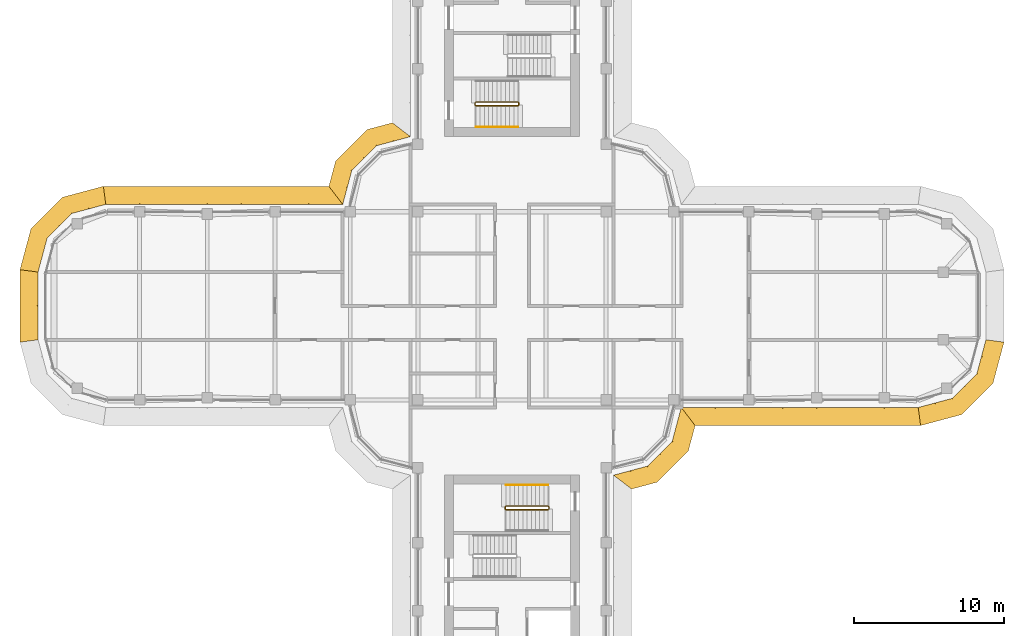
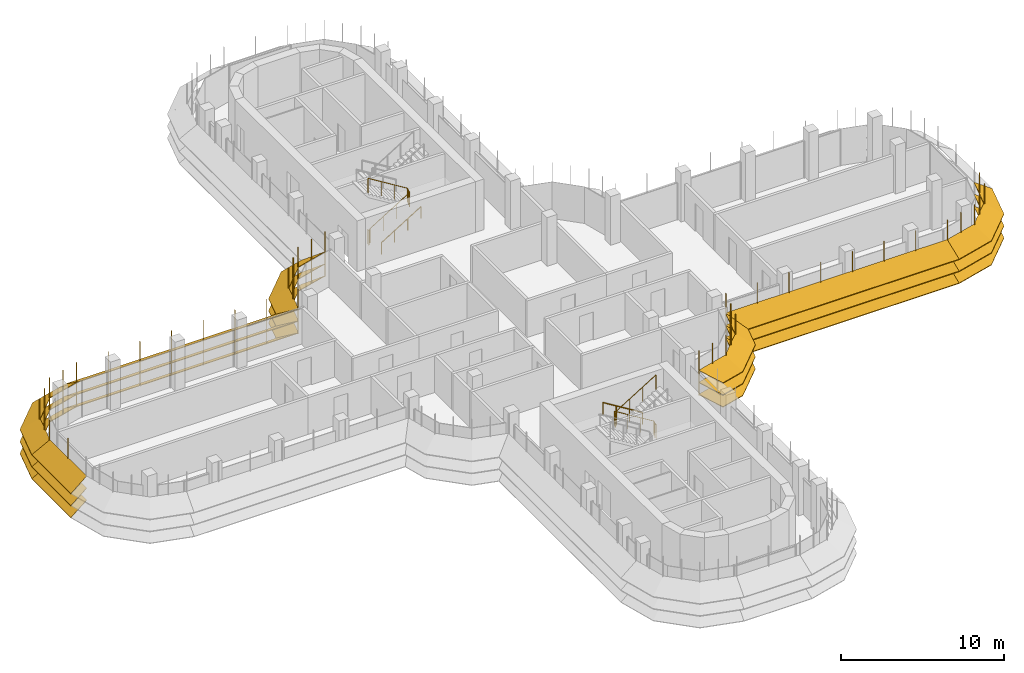
# One storey, part 18 of 19: 7 shading devices, 4 railings.
"""IFC4 building model written with IfcOpenShell, lengths in metres."""

from ifc_helpers import new_model, si_unit, direction, frame, origin, origin_2d, place, context, subcontext, project, spatial, polyline, circle, outline, extrude, faceted_brep, source, transform, mapped, material, type_object, element, save


model = new_model("IFC4")

# Units and contexts
model_context = context("Model", 3, precision=1e-05, world=origin(), true_north=direction((0.0, 1.0)))
body_context = subcontext(model_context, "Body", "Model", "MODEL_VIEW")
ifc_project = project(units=[si_unit("LENGTHUNIT", "METRE"), si_unit("AREAUNIT", "SQUARE_METRE"), si_unit("VOLUMEUNIT", "CUBIC_METRE"), si_unit("PLANEANGLEUNIT", "RADIAN"), si_unit("MASSUNIT", "GRAM", prefix="KILO")], contexts=[model_context])

# Site, building, storey
site_placement = place(None, origin())
site = spatial("IfcSite", under=ifc_project, at=site_placement, CompositionType="ELEMENT")
building_placement = place(site_placement, origin())
building = spatial("IfcBuilding", under=site, at=building_placement, Name="Zarbagh Exchange Tower", CompositionType="ELEMENT")
storey_placement = place(building_placement, frame((0.0, 0.0, 195.39990234375)))
storey = spatial("IfcBuildingStorey", under=building, at=storey_placement, Name="L47", CompositionType="ELEMENT", Elevation=195.39990234375)

# Railings
ifc_material_1 = material(Name="Stainless steel", Category="steel")
railing_type_1 = type_object("IfcRailingType", Name="Stair guard 1100 mm", PredefinedType="GUARDRAIL", material=ifc_material_1)
railing_1_placement = place(storey_placement, frame((-2.449951171875, 13.5, 0.0)))
element("IfcRailing", 1, at=railing_1_placement, inside=storey, type_object=railing_type_1, Name="ST2 stair guard 1", PredefinedType="GUARDRAIL", context=body_context, shape_type="SweptSolid", body=[
    extrude(circle(Radius=0.02392578125, at=origin_2d()), frame((0.0, 0.0, 1.076171875), z_axis=(0.0, -1.0, 0.0), x_axis=(1.0, 0.0, 0.0)), (0.0, 0.0, 1.0), 0.14990234375),
    extrude(circle(Radius=0.02392578125, at=origin_2d()), frame((0.0, -0.14990234375, 1.076171875), z_axis=(0.267953482034, -0.267953482034, 0.925419830635), x_axis=(0.707106781187, 0.707106781187, 0.0)), (0.0, 0.0, 1.0), 0.186767578125),
    extrude(circle(Radius=0.02392578125, at=origin_2d()), frame((0.050048828125, -0.199951171875, 1.2490234375), z_axis=(0.851069175582, 0.0, 0.525053576669), x_axis=(0.0, 1.0, 0.0)), (0.0, 0.0, 1.0), 3.289794921875),
    extrude(circle(Radius=0.02392578125, at=origin_2d()), frame((2.849853515625, -0.199951171875, 2.97607421875), z_axis=(0.707106781187, 0.707106781187, 0.0), x_axis=(-0.707106781187, 0.707106781187, 0.0)), (0.0, 0.0, 1.0), 0.07080078125),
    extrude(circle(Radius=0.02392578125, at=origin_2d()), frame((2.89990234375, -0.14990234375, 2.97607421875), z_axis=(0.0, 1.0, 0.0), x_axis=(-1.0, 0.0, 0.0)), (0.0, 0.0, 1.0), 0.14990234375),
    extrude(circle(Radius=0.02392578125, at=origin_2d()), frame((2.89990234375, 0.0, 2.97607421875), z_axis=(-0.268277960024, 0.268277960024, 0.925231793839), x_axis=(-0.707106781187, -0.707106781187, 0.0)), (0.0, 0.0, 1.0), 0.1865234375),
    extrude(circle(Radius=0.02392578125, at=origin_2d()), frame((2.849853515625, 0.050048828125, 3.14892578125), z_axis=(-0.851069175582, 0.0, 0.525053576669), x_axis=(0.0, -1.0, 0.0)), (0.0, 0.0, 1.0), 3.289794921875),
    extrude(circle(Radius=0.02099609375, at=origin_2d()), origin(), (0.0, 0.0, 1.0), 1.052001953125),
    extrude(circle(Radius=0.02099609375, at=origin_2d()), frame((0.0, -0.14990234375, 0.0)), (0.0, 0.0, 1.0), 1.052001953125),
    extrude(circle(Radius=0.02099609375, at=origin_2d()), frame((0.050048828125, -0.199951171875, 0.1728515625)), (0.0, 0.0, 1.0), 1.052001953125),
    extrude(circle(Radius=0.02099609375, at=origin_2d()), frame((0.9833984375, -0.199951171875, 0.74853515625)), (0.0, 0.0, 1.0), 1.052001953125),
    extrude(circle(Radius=0.02099609375, at=origin_2d()), frame((1.91650390625, -0.199951171875, 1.324462890625)), (0.0, 0.0, 1.0), 1.052001953125),
    extrude(circle(Radius=0.02099609375, at=origin_2d()), frame((2.849853515625, -0.199951171875, 1.900146484375)), (0.0, 0.0, 1.0), 1.052001953125),
    extrude(circle(Radius=0.02099609375, at=origin_2d()), frame((2.89990234375, -0.14990234375, 1.900146484375)), (0.0, 0.0, 1.0), 1.052001953125),
    extrude(circle(Radius=0.02099609375, at=origin_2d()), frame((2.89990234375, 0.0, 1.900146484375)), (0.0, 0.0, 1.0), 1.052001953125),
    extrude(circle(Radius=0.02099609375, at=origin_2d()), frame((2.849853515625, 0.050048828125, 2.07275390625)), (0.0, 0.0, 1.0), 1.052001953125),
    extrude(circle(Radius=0.02099609375, at=origin_2d()), frame((1.91650390625, 0.050048828125, 2.6484375)), (0.0, 0.0, 1.0), 1.052001953125),
    extrude(circle(Radius=0.02099609375, at=origin_2d()), frame((0.9833984375, 0.050048828125, 3.224365234375)), (0.0, 0.0, 1.0), 1.052001953125),
    extrude(circle(Radius=0.02099609375, at=origin_2d()), frame((0.050048828125, 0.050048828125, 3.800048828125)), (0.0, 0.0, 1.0), 1.052001953125),
])
railing_2_placement = place(storey_placement, frame((2.449951171875, -13.5, 0.0)))
element("IfcRailing", 2, at=railing_2_placement, inside=storey, type_object=railing_type_1, Name="ST4 stair guard 1", PredefinedType="GUARDRAIL", context=body_context, shape_type="SweptSolid", body=[
    extrude(circle(Radius=0.02392578125, at=origin_2d()), frame((0.0, 0.0, 1.076171875), z_axis=(0.0, 1.0, 0.0), x_axis=(-1.0, 0.0, 0.0)), (0.0, 0.0, 1.0), 0.14990234375),
    extrude(circle(Radius=0.02392578125, at=origin_2d()), frame((0.0, 0.14990234375, 1.076171875), z_axis=(-0.267953482034, 0.267953482034, 0.925419830635), x_axis=(-0.707106781187, -0.707106781187, 0.0)), (0.0, 0.0, 1.0), 0.186767578125),
    extrude(circle(Radius=0.02392578125, at=origin_2d()), frame((-0.050048828125, 0.199951171875, 1.2490234375), z_axis=(-0.851069175582, 0.0, 0.525053576669), x_axis=(0.0, -1.0, 0.0)), (0.0, 0.0, 1.0), 3.289794921875),
    extrude(circle(Radius=0.02392578125, at=origin_2d()), frame((-2.849853515625, 0.199951171875, 2.97607421875), z_axis=(-0.707106781187, -0.707106781187, 0.0), x_axis=(0.707106781187, -0.707106781187, 0.0)), (0.0, 0.0, 1.0), 0.07080078125),
    extrude(circle(Radius=0.02392578125, at=origin_2d()), frame((-2.89990234375, 0.14990234375, 2.97607421875), z_axis=(0.0, -1.0, 0.0), x_axis=(1.0, 0.0, 0.0)), (0.0, 0.0, 1.0), 0.14990234375),
    extrude(circle(Radius=0.02392578125, at=origin_2d()), frame((-2.89990234375, 0.0, 2.97607421875), z_axis=(0.268277960024, -0.268277960024, 0.925231793839), x_axis=(0.707106781187, 0.707106781187, 0.0)), (0.0, 0.0, 1.0), 0.1865234375),
    extrude(circle(Radius=0.02392578125, at=origin_2d()), frame((-2.849853515625, -0.050048828125, 3.14892578125), z_axis=(0.851069175582, 0.0, 0.525053576669), x_axis=(0.0, 1.0, 0.0)), (0.0, 0.0, 1.0), 3.289794921875),
    extrude(circle(Radius=0.02099609375, at=origin_2d()), origin(), (0.0, 0.0, 1.0), 1.052001953125),
    extrude(circle(Radius=0.02099609375, at=origin_2d()), frame((0.0, 0.14990234375, 0.0)), (0.0, 0.0, 1.0), 1.052001953125),
    extrude(circle(Radius=0.02099609375, at=origin_2d()), frame((-0.050048828125, 0.199951171875, 0.1728515625)), (0.0, 0.0, 1.0), 1.052001953125),
    extrude(circle(Radius=0.02099609375, at=origin_2d()), frame((-0.9833984375, 0.199951171875, 0.74853515625)), (0.0, 0.0, 1.0), 1.052001953125),
    extrude(circle(Radius=0.02099609375, at=origin_2d()), frame((-1.91650390625, 0.199951171875, 1.324462890625)), (0.0, 0.0, 1.0), 1.052001953125),
    extrude(circle(Radius=0.02099609375, at=origin_2d()), frame((-2.849853515625, 0.199951171875, 1.900146484375)), (0.0, 0.0, 1.0), 1.052001953125),
    extrude(circle(Radius=0.02099609375, at=origin_2d()), frame((-2.89990234375, 0.14990234375, 1.900146484375)), (0.0, 0.0, 1.0), 1.052001953125),
    extrude(circle(Radius=0.02099609375, at=origin_2d()), frame((-2.89990234375, 0.0, 1.900146484375)), (0.0, 0.0, 1.0), 1.052001953125),
    extrude(circle(Radius=0.02099609375, at=origin_2d()), frame((-2.849853515625, -0.050048828125, 2.07275390625)), (0.0, 0.0, 1.0), 1.052001953125),
    extrude(circle(Radius=0.02099609375, at=origin_2d()), frame((-1.91650390625, -0.050048828125, 2.6484375)), (0.0, 0.0, 1.0), 1.052001953125),
    extrude(circle(Radius=0.02099609375, at=origin_2d()), frame((-0.9833984375, -0.050048828125, 3.224365234375)), (0.0, 0.0, 1.0), 1.052001953125),
    extrude(circle(Radius=0.02099609375, at=origin_2d()), frame((-0.050048828125, -0.050048828125, 3.800048828125)), (0.0, 0.0, 1.0), 1.052001953125),
])
railing_type_2 = type_object("IfcRailingType", Name="Stair handrail 900 mm", PredefinedType="HANDRAIL", material=ifc_material_1)
railing_3_placement = place(storey_placement, frame((-2.39990234375, 11.89990234375, 0.1728515625)))
element("IfcRailing", 3, at=railing_3_placement, inside=storey, type_object=railing_type_2, Name="ST2 stair handrail 1", PredefinedType="HANDRAIL", context=body_context, shape_type="SweptSolid", body=[
    extrude(circle(Radius=0.02392578125, at=origin_2d()), frame((0.0, 0.0, 0.8759765625), z_axis=(0.851069175582, 0.0, 0.525053576669), x_axis=(0.0, 1.0, 0.0)), (0.0, 0.0, 1.0), 3.289794921875),
    extrude(circle(Radius=0.02099609375, at=origin_2d()), origin(), (0.0, 0.0, 1.0), 0.851806640625),
    extrude(circle(Radius=0.02099609375, at=origin_2d()), frame((0.933349609375, 0.0, 0.57568359375)), (0.0, 0.0, 1.0), 0.851806640625),
    extrude(circle(Radius=0.02099609375, at=origin_2d()), frame((1.866455078125, 0.0, 1.151611328125)), (0.0, 0.0, 1.0), 0.851806640625),
    extrude(circle(Radius=0.02099609375, at=origin_2d()), frame((2.7998046875, 0.0, 1.727294921875)), (0.0, 0.0, 1.0), 0.851806640625),
])
railing_4_placement = place(storey_placement, frame((2.39990234375, -11.89990234375, 0.1728515625)))
element("IfcRailing", 4, at=railing_4_placement, inside=storey, type_object=railing_type_2, Name="ST4 stair handrail 1", PredefinedType="HANDRAIL", context=body_context, shape_type="SweptSolid", body=[
    extrude(circle(Radius=0.02392578125, at=origin_2d()), frame((0.0, 0.0, 0.8759765625), z_axis=(-0.851069175582, 0.0, 0.525053576669), x_axis=(0.0, -1.0, 0.0)), (0.0, 0.0, 1.0), 3.289794921875),
    extrude(circle(Radius=0.02099609375, at=origin_2d()), origin(), (0.0, 0.0, 1.0), 0.851806640625),
    extrude(circle(Radius=0.02099609375, at=origin_2d()), frame((-0.933349609375, 0.0, 0.57568359375)), (0.0, 0.0, 1.0), 0.851806640625),
    extrude(circle(Radius=0.02099609375, at=origin_2d()), frame((-1.866455078125, 0.0, 1.151611328125)), (0.0, 0.0, 1.0), 0.851806640625),
    extrude(circle(Radius=0.02099609375, at=origin_2d()), frame((-2.7998046875, 0.0, 1.727294921875)), (0.0, 0.0, 1.0), 0.851806640625),
])

# Shading devices
ifc_material_2 = material(Name="Anodised aluminium blades and brackets", Category="aluminium")
shading_device_type = type_object("IfcShadingDeviceType", Name="SUNSHADE louvre band, 33.75 degree blades", PredefinedType="JALOUSIE", material=ifc_material_2)
shared_shape_1 = source(origin(), body_context, "Body", "Brep", [
    faceted_brep([(0.0, 0.0, 0.0), (0.0, 0.0, -0.048095703125), (-0.157958984375, -1.199951171875, -0.849853515625), (-0.157958984375, -1.199951171875, -0.8017578125), (2.65087890625, -1.199951171875, -0.8017578125), (2.65087890625, -1.199951171875, -0.849853515625), (2.329345703125, 0.0, -0.048095703125), (2.329345703125, 0.0, 0.0)], [[[0, 1, 2, 3]], [[4, 5, 6, 7]], [[0, 7, 6, 1]], [[1, 6, 5, 2]], [[2, 5, 4, 3]], [[3, 4, 7, 0]]]),
])
shared_shape_2 = source(origin(), body_context, "Body", "Brep", [
    faceted_brep([(0.0, 0.0, 0.0), (0.0, 0.0, -0.048095703125), (-0.321533203125, -1.199951171875, -0.849853515625), (-0.321533203125, -1.199951171875, -0.8017578125), (2.65087890625, -1.199951171875, -0.8017578125), (2.65087890625, -1.199951171875, -0.849853515625), (2.329345703125, 0.0, -0.048095703125), (2.329345703125, 0.0, 0.0)], [[[0, 1, 2, 3]], [[4, 5, 6, 7]], [[0, 7, 6, 1]], [[1, 6, 5, 2]], [[2, 5, 4, 3]], [[3, 4, 7, 0]]]),
])
shared_shape_3 = source(origin(), body_context, "Body", "Brep", [
    faceted_brep([(0.0, 0.0, 0.0), (0.0, 0.0, -0.048095703125), (-0.321533203125, -1.199951171875, -0.849853515625), (-0.321533203125, -1.199951171875, -0.8017578125), (2.4873046875, -1.199951171875, -0.8017578125), (2.4873046875, -1.199951171875, -0.849853515625), (2.329345703125, 0.0, -0.048095703125), (2.329345703125, 0.0, 0.0)], [[[0, 1, 2, 3]], [[4, 5, 6, 7]], [[0, 7, 6, 1]], [[1, 6, 5, 2]], [[2, 5, 4, 3]], [[3, 4, 7, 0]]]),
])
shared_shape_4 = source(origin(), body_context, "Body", "SweptSolid", [
    extrude(outline(polyline([(0.0, -0.012451171875), (0.06005859375, -0.012451171875), (0.06005859375, 0.012451171875), (0.0, 0.012451171875), (0.0, -0.012451171875)])), origin(), (0.0, 0.0, 1.0), 3.358154296875),
])
placement = place(storey_placement, origin())
element("IfcShadingDevice", 5, at=placement, inside=storey, type_object=shading_device_type, Name="SS31 sunshade band", PredefinedType="JALOUSIE", context=body_context, shape_type="MappedRepresentation", body=[
    mapped(shared_shape_1, transform((27.0, -6.75, 2.300048828125), x_axis=(0.965924289636, 0.258824779902, 0.0), y_axis=(-0.258824779902, 0.965924289636, 0.0), z_axis=(0.0, 0.0, 1.0))),
    mapped(shared_shape_1, transform((27.0, -6.75, 1.400146484375), x_axis=(0.965924289636, 0.258824779902, 0.0), y_axis=(-0.258824779902, 0.965924289636, 0.0), z_axis=(0.0, 0.0, 1.0))),
    mapped(shared_shape_1, transform((27.0, -6.75, 0.5), x_axis=(0.965924289636, 0.258824779902, 0.0), y_axis=(-0.258824779902, 0.965924289636, 0.0), z_axis=(0.0, 0.0, 1.0))),
    mapped(shared_shape_2, transform((29.25, -6.147216796875, 2.300048828125), x_axis=(0.707106781187, 0.707106781187, 0.0), y_axis=(-0.707106781187, 0.707106781187, 0.0), z_axis=(0.0, 0.0, 1.0))),
    mapped(shared_shape_2, transform((29.25, -6.147216796875, 1.400146484375), x_axis=(0.707106781187, 0.707106781187, 0.0), y_axis=(-0.707106781187, 0.707106781187, 0.0), z_axis=(0.0, 0.0, 1.0))),
    mapped(shared_shape_2, transform((29.25, -6.147216796875, 0.5), x_axis=(0.707106781187, 0.707106781187, 0.0), y_axis=(-0.707106781187, 0.707106781187, 0.0), z_axis=(0.0, 0.0, 1.0))),
    mapped(shared_shape_3, transform((30.897216796875, -4.5, 2.300048828125), x_axis=(0.258824779902, 0.965924289636, 0.0), y_axis=(-0.965924289636, 0.258824779902, 0.0), z_axis=(0.0, 0.0, 1.0))),
    mapped(shared_shape_3, transform((30.897216796875, -4.5, 1.400146484375), x_axis=(0.258824779902, 0.965924289636, 0.0), y_axis=(-0.965924289636, 0.258824779902, 0.0), z_axis=(0.0, 0.0, 1.0))),
    mapped(shared_shape_3, transform((30.897216796875, -4.5, 0.5), x_axis=(0.258824779902, 0.965924289636, 0.0), y_axis=(-0.965924289636, 0.258824779902, 0.0), z_axis=(0.0, 0.0, 1.0))),
    mapped(shared_shape_4, transform((27.0, -6.75, 0.421875), x_axis=(0.130529263012, -0.991444457092, 0.0), y_axis=(0.991444457092, 0.130529263012, 0.0), z_axis=(0.0, 0.0, 1.0))),
    mapped(shared_shape_4, transform((28.125, -6.448486328125, 0.421875), x_axis=(0.258825058029, -0.96592421511, 0.0), y_axis=(0.96592421511, 0.258825058029, 0.0), z_axis=(0.0, 0.0, 1.0))),
    mapped(shared_shape_4, transform((29.25, -6.147216796875, 0.421875), x_axis=(0.50000275701, -0.866023812018, 0.0), y_axis=(0.866023812018, 0.50000275701, 0.0), z_axis=(0.0, 0.0, 1.0))),
    mapped(shared_shape_4, transform((30.073486328125, -5.323486328125, 0.421875), x_axis=(0.707106781187, -0.707106781187, 0.0), y_axis=(0.707106781187, 0.707106781187, 0.0), z_axis=(0.0, 0.0, 1.0))),
    mapped(shared_shape_4, transform((30.897216796875, -4.5, 0.421875), x_axis=(0.866023812018, -0.50000275701, 0.0), y_axis=(0.50000275701, 0.866023812018, 0.0), z_axis=(0.0, 0.0, 1.0))),
    mapped(shared_shape_4, transform((31.198486328125, -3.375, 0.421875), x_axis=(0.96592421511, -0.258825058029, 0.0), y_axis=(0.258825058029, 0.96592421511, 0.0), z_axis=(0.0, 0.0, 1.0))),
])
element("IfcShadingDevice", 6, at=placement, inside=storey, type_object=shading_device_type, Name="SS41 sunshade band", PredefinedType="JALOUSIE", context=body_context, shape_type="MappedRepresentation", body=[
    mapped(shared_shape_1, transform((-27.0, 6.75, 2.300048828125), x_axis=(-0.965924289636, -0.258824779902, 0.0), y_axis=(0.258824779902, -0.965924289636, 0.0), z_axis=(0.0, 0.0, 1.0))),
    mapped(shared_shape_1, transform((-27.0, 6.75, 1.400146484375), x_axis=(-0.965924289636, -0.258824779902, 0.0), y_axis=(0.258824779902, -0.965924289636, 0.0), z_axis=(0.0, 0.0, 1.0))),
    mapped(shared_shape_1, transform((-27.0, 6.75, 0.5), x_axis=(-0.965924289636, -0.258824779902, 0.0), y_axis=(0.258824779902, -0.965924289636, 0.0), z_axis=(0.0, 0.0, 1.0))),
    mapped(shared_shape_2, transform((-29.25, 6.147216796875, 2.300048828125), x_axis=(-0.707106781187, -0.707106781187, 0.0), y_axis=(0.707106781187, -0.707106781187, 0.0), z_axis=(0.0, 0.0, 1.0))),
    mapped(shared_shape_2, transform((-29.25, 6.147216796875, 1.400146484375), x_axis=(-0.707106781187, -0.707106781187, 0.0), y_axis=(0.707106781187, -0.707106781187, 0.0), z_axis=(0.0, 0.0, 1.0))),
    mapped(shared_shape_2, transform((-29.25, 6.147216796875, 0.5), x_axis=(-0.707106781187, -0.707106781187, 0.0), y_axis=(0.707106781187, -0.707106781187, 0.0), z_axis=(0.0, 0.0, 1.0))),
    mapped(shared_shape_3, transform((-30.897216796875, 4.5, 2.300048828125), x_axis=(-0.258824779902, -0.965924289636, 0.0), y_axis=(0.965924289636, -0.258824779902, 0.0), z_axis=(0.0, 0.0, 1.0))),
    mapped(shared_shape_3, transform((-30.897216796875, 4.5, 1.400146484375), x_axis=(-0.258824779902, -0.965924289636, 0.0), y_axis=(0.965924289636, -0.258824779902, 0.0), z_axis=(0.0, 0.0, 1.0))),
    mapped(shared_shape_3, transform((-30.897216796875, 4.5, 0.5), x_axis=(-0.258824779902, -0.965924289636, 0.0), y_axis=(0.965924289636, -0.258824779902, 0.0), z_axis=(0.0, 0.0, 1.0))),
    mapped(shared_shape_4, transform((-27.0, 6.75, 0.421875), x_axis=(-0.130529263012, 0.991444457092, 0.0), y_axis=(-0.991444457092, -0.130529263012, 0.0), z_axis=(0.0, 0.0, 1.0))),
    mapped(shared_shape_4, transform((-28.125, 6.448486328125, 0.421875), x_axis=(-0.258825058029, 0.96592421511, 0.0), y_axis=(-0.96592421511, -0.258825058029, 0.0), z_axis=(0.0, 0.0, 1.0))),
    mapped(shared_shape_4, transform((-29.25, 6.147216796875, 0.421875), x_axis=(-0.50000275701, 0.866023812018, 0.0), y_axis=(-0.866023812018, -0.50000275701, 0.0), z_axis=(0.0, 0.0, 1.0))),
    mapped(shared_shape_4, transform((-30.073486328125, 5.323486328125, 0.421875), x_axis=(-0.707106781187, 0.707106781187, 0.0), y_axis=(-0.707106781187, -0.707106781187, 0.0), z_axis=(0.0, 0.0, 1.0))),
    mapped(shared_shape_4, transform((-30.897216796875, 4.5, 0.421875), x_axis=(-0.866023812018, 0.50000275701, 0.0), y_axis=(-0.50000275701, -0.866023812018, 0.0), z_axis=(0.0, 0.0, 1.0))),
    mapped(shared_shape_4, transform((-31.198486328125, 3.375, 0.421875), x_axis=(-0.96592421511, 0.258825058029, 0.0), y_axis=(-0.258825058029, -0.96592421511, 0.0), z_axis=(0.0, 0.0, 1.0))),
])
shared_shape_5 = source(origin(), body_context, "Body", "Brep", [
    faceted_brep([(0.0, 0.0, 0.0), (0.0, 0.0, -0.048095703125), (0.9208984375, -1.199951171875, -0.849853515625), (0.9208984375, -1.199951171875, -0.8017578125), (2.65087890625, -1.199951171875, -0.8017578125), (2.65087890625, -1.199951171875, -0.849853515625), (2.329345703125, 0.0, -0.048095703125), (2.329345703125, 0.0, 0.0)], [[[0, 1, 2, 3]], [[4, 5, 6, 7]], [[0, 7, 6, 1]], [[1, 6, 5, 2]], [[2, 5, 4, 3]], [[3, 4, 7, 0]]]),
])
shared_shape_6 = source(origin(), body_context, "Body", "Brep", [
    faceted_brep([(0.0, 0.0, 0.0), (0.0, 0.0, -0.048095703125), (-0.321533203125, -1.199951171875, -0.849853515625), (-0.321533203125, -1.199951171875, -0.8017578125), (1.40869140625, -1.199951171875, -0.8017578125), (1.40869140625, -1.199951171875, -0.849853515625), (2.329345703125, 0.0, -0.048095703125), (2.329345703125, 0.0, 0.0)], [[[0, 1, 2, 3]], [[4, 5, 6, 7]], [[0, 7, 6, 1]], [[1, 6, 5, 2]], [[2, 5, 4, 3]], [[3, 4, 7, 0]]]),
])
element("IfcShadingDevice", 7, at=placement, inside=storey, type_object=shading_device_type, Name="SS03 sunshade band", PredefinedType="JALOUSIE", context=body_context, shape_type="MappedRepresentation", body=[
    mapped(shared_shape_5, transform((6.75, -11.25, 2.300048828125), x_axis=(0.965924289636, 0.258824779902, 0.0), y_axis=(-0.258824779902, 0.965924289636, 0.0), z_axis=(0.0, 0.0, 1.0))),
    mapped(shared_shape_5, transform((6.75, -11.25, 1.400146484375), x_axis=(0.965924289636, 0.258824779902, 0.0), y_axis=(-0.258824779902, 0.965924289636, 0.0), z_axis=(0.0, 0.0, 1.0))),
    mapped(shared_shape_5, transform((6.75, -11.25, 0.5), x_axis=(0.965924289636, 0.258824779902, 0.0), y_axis=(-0.258824779902, 0.965924289636, 0.0), z_axis=(0.0, 0.0, 1.0))),
    mapped(shared_shape_2, transform((9.0, -10.647216796875, 2.300048828125), x_axis=(0.707106781187, 0.707106781187, 0.0), y_axis=(-0.707106781187, 0.707106781187, 0.0), z_axis=(0.0, 0.0, 1.0))),
    mapped(shared_shape_2, transform((9.0, -10.647216796875, 1.400146484375), x_axis=(0.707106781187, 0.707106781187, 0.0), y_axis=(-0.707106781187, 0.707106781187, 0.0), z_axis=(0.0, 0.0, 1.0))),
    mapped(shared_shape_2, transform((9.0, -10.647216796875, 0.5), x_axis=(0.707106781187, 0.707106781187, 0.0), y_axis=(-0.707106781187, 0.707106781187, 0.0), z_axis=(0.0, 0.0, 1.0))),
    mapped(shared_shape_6, transform((10.647216796875, -9.0, 2.300048828125), x_axis=(0.258824779902, 0.965924289636, 0.0), y_axis=(-0.965924289636, 0.258824779902, 0.0), z_axis=(0.0, 0.0, 1.0))),
    mapped(shared_shape_6, transform((10.647216796875, -9.0, 1.400146484375), x_axis=(0.258824779902, 0.965924289636, 0.0), y_axis=(-0.965924289636, 0.258824779902, 0.0), z_axis=(0.0, 0.0, 1.0))),
    mapped(shared_shape_6, transform((10.647216796875, -9.0, 0.5), x_axis=(0.258824779902, 0.965924289636, 0.0), y_axis=(-0.965924289636, 0.258824779902, 0.0), z_axis=(0.0, 0.0, 1.0))),
    mapped(shared_shape_4, transform((6.75, -11.25, 0.421875), x_axis=(0.793355287, -0.608758892, 0.0), y_axis=(0.608758892, 0.793355287, 0.0), z_axis=(0.0, 0.0, 1.0))),
    mapped(shared_shape_4, transform((7.875, -10.948486328125, 0.421875), x_axis=(0.258825058029, -0.96592421511, 0.0), y_axis=(0.96592421511, 0.258825058029, 0.0), z_axis=(0.0, 0.0, 1.0))),
    mapped(shared_shape_4, transform((9.0, -10.647216796875, 0.421875), x_axis=(0.50000275701, -0.866023812018, 0.0), y_axis=(0.866023812018, 0.50000275701, 0.0), z_axis=(0.0, 0.0, 1.0))),
    mapped(shared_shape_4, transform((9.823486328125, -9.823486328125, 0.421875), x_axis=(0.707106781187, -0.707106781187, 0.0), y_axis=(0.707106781187, 0.707106781187, 0.0), z_axis=(0.0, 0.0, 1.0))),
    mapped(shared_shape_4, transform((10.647216796875, -9.0, 0.421875), x_axis=(0.866023812018, -0.50000275701, 0.0), y_axis=(0.50000275701, 0.866023812018, 0.0), z_axis=(0.0, 0.0, 1.0))),
    mapped(shared_shape_4, transform((10.948486328125, -7.875, 0.421875), x_axis=(0.96592421511, -0.258825058029, 0.0), y_axis=(0.258825058029, 0.96592421511, 0.0), z_axis=(0.0, 0.0, 1.0))),
])
element("IfcShadingDevice", 8, at=placement, inside=storey, type_object=shading_device_type, Name="SS15 sunshade band", PredefinedType="JALOUSIE", context=body_context, shape_type="MappedRepresentation", body=[
    mapped(shared_shape_5, transform((-6.75, 11.25, 2.300048828125), x_axis=(-0.965924289636, -0.258824779902, 0.0), y_axis=(0.258824779902, -0.965924289636, 0.0), z_axis=(0.0, 0.0, 1.0))),
    mapped(shared_shape_5, transform((-6.75, 11.25, 1.400146484375), x_axis=(-0.965924289636, -0.258824779902, 0.0), y_axis=(0.258824779902, -0.965924289636, 0.0), z_axis=(0.0, 0.0, 1.0))),
    mapped(shared_shape_5, transform((-6.75, 11.25, 0.5), x_axis=(-0.965924289636, -0.258824779902, 0.0), y_axis=(0.258824779902, -0.965924289636, 0.0), z_axis=(0.0, 0.0, 1.0))),
    mapped(shared_shape_2, transform((-9.0, 10.647216796875, 2.300048828125), x_axis=(-0.707106781187, -0.707106781187, 0.0), y_axis=(0.707106781187, -0.707106781187, 0.0), z_axis=(0.0, 0.0, 1.0))),
    mapped(shared_shape_2, transform((-9.0, 10.647216796875, 1.400146484375), x_axis=(-0.707106781187, -0.707106781187, 0.0), y_axis=(0.707106781187, -0.707106781187, 0.0), z_axis=(0.0, 0.0, 1.0))),
    mapped(shared_shape_2, transform((-9.0, 10.647216796875, 0.5), x_axis=(-0.707106781187, -0.707106781187, 0.0), y_axis=(0.707106781187, -0.707106781187, 0.0), z_axis=(0.0, 0.0, 1.0))),
    mapped(shared_shape_6, transform((-10.647216796875, 9.0, 2.300048828125), x_axis=(-0.258824779902, -0.965924289636, 0.0), y_axis=(0.965924289636, -0.258824779902, 0.0), z_axis=(0.0, 0.0, 1.0))),
    mapped(shared_shape_6, transform((-10.647216796875, 9.0, 1.400146484375), x_axis=(-0.258824779902, -0.965924289636, 0.0), y_axis=(0.965924289636, -0.258824779902, 0.0), z_axis=(0.0, 0.0, 1.0))),
    mapped(shared_shape_6, transform((-10.647216796875, 9.0, 0.5), x_axis=(-0.258824779902, -0.965924289636, 0.0), y_axis=(0.965924289636, -0.258824779902, 0.0), z_axis=(0.0, 0.0, 1.0))),
    mapped(shared_shape_4, transform((-6.75, 11.25, 0.421875), x_axis=(-0.793355287, 0.608758892, 0.0), y_axis=(-0.608758892, -0.793355287, 0.0), z_axis=(0.0, 0.0, 1.0))),
    mapped(shared_shape_4, transform((-7.875, 10.948486328125, 0.421875), x_axis=(-0.258825058029, 0.96592421511, 0.0), y_axis=(-0.96592421511, -0.258825058029, 0.0), z_axis=(0.0, 0.0, 1.0))),
    mapped(shared_shape_4, transform((-9.0, 10.647216796875, 0.421875), x_axis=(-0.50000275701, 0.866023812018, 0.0), y_axis=(-0.866023812018, -0.50000275701, 0.0), z_axis=(0.0, 0.0, 1.0))),
    mapped(shared_shape_4, transform((-9.823486328125, 9.823486328125, 0.421875), x_axis=(-0.707106781187, 0.707106781187, 0.0), y_axis=(-0.707106781187, -0.707106781187, 0.0), z_axis=(0.0, 0.0, 1.0))),
    mapped(shared_shape_4, transform((-10.647216796875, 9.0, 0.421875), x_axis=(-0.866023812018, 0.50000275701, 0.0), y_axis=(-0.50000275701, -0.866023812018, 0.0), z_axis=(0.0, 0.0, 1.0))),
    mapped(shared_shape_4, transform((-10.948486328125, 7.875, 0.421875), x_axis=(-0.96592421511, 0.258825058029, 0.0), y_axis=(-0.258825058029, -0.96592421511, 0.0), z_axis=(0.0, 0.0, 1.0))),
])
shared_shape_7 = source(origin(), body_context, "Body", "Brep", [
    faceted_brep([(0.0, 0.0, 0.0), (0.0, 0.0, -0.048095703125), (0.9208984375, -1.199951171875, -0.849853515625), (0.9208984375, -1.199951171875, -0.8017578125), (15.907958984375, -1.199951171875, -0.8017578125), (15.907958984375, -1.199951171875, -0.849853515625), (15.75, 0.0, -0.048095703125), (15.75, 0.0, 0.0)], [[[0, 1, 2, 3]], [[4, 5, 6, 7]], [[0, 7, 6, 1]], [[1, 6, 5, 2]], [[2, 5, 4, 3]], [[3, 4, 7, 0]]]),
])
element("IfcShadingDevice", 9, at=placement, inside=storey, type_object=shading_device_type, Name="SS30 sunshade band", PredefinedType="JALOUSIE", context=body_context, shape_type="MappedRepresentation", body=[
    mapped(shared_shape_7, transform((11.25, -6.75, 2.300048828125), x_axis=(1.0, 0.0, 0.0), y_axis=(0.0, 1.0, 0.0), z_axis=(0.0, 0.0, 1.0))),
    mapped(shared_shape_7, transform((11.25, -6.75, 1.400146484375), x_axis=(1.0, 0.0, 0.0), y_axis=(0.0, 1.0, 0.0), z_axis=(0.0, 0.0, 1.0))),
    mapped(shared_shape_7, transform((11.25, -6.75, 0.5), x_axis=(1.0, 0.0, 0.0), y_axis=(0.0, 1.0, 0.0), z_axis=(0.0, 0.0, 1.0))),
    mapped(shared_shape_4, transform((11.25, -6.75, 0.421875), x_axis=(0.608758892, -0.793355287, 0.0), y_axis=(0.793355287, 0.608758892, 0.0), z_axis=(0.0, 0.0, 1.0))),
    mapped(shared_shape_4, transform((13.5, -6.75, 0.421875), x_axis=(0.0, -1.0, 0.0), y_axis=(1.0, 0.0, 0.0), z_axis=(0.0, 0.0, 1.0))),
    mapped(shared_shape_4, transform((15.75, -6.75, 0.421875), x_axis=(0.0, -1.0, 0.0), y_axis=(1.0, 0.0, 0.0), z_axis=(0.0, 0.0, 1.0))),
    mapped(shared_shape_4, transform((18.0, -6.75, 0.421875), x_axis=(0.0, -1.0, 0.0), y_axis=(1.0, 0.0, 0.0), z_axis=(0.0, 0.0, 1.0))),
    mapped(shared_shape_4, transform((20.25, -6.75, 0.421875), x_axis=(0.0, -1.0, 0.0), y_axis=(1.0, 0.0, 0.0), z_axis=(0.0, 0.0, 1.0))),
    mapped(shared_shape_4, transform((22.5, -6.75, 0.421875), x_axis=(0.0, -1.0, 0.0), y_axis=(1.0, 0.0, 0.0), z_axis=(0.0, 0.0, 1.0))),
    mapped(shared_shape_4, transform((24.75, -6.75, 0.421875), x_axis=(0.0, -1.0, 0.0), y_axis=(1.0, 0.0, 0.0), z_axis=(0.0, 0.0, 1.0))),
])
element("IfcShadingDevice", 10, at=placement, inside=storey, type_object=shading_device_type, Name="SS40 sunshade band", PredefinedType="JALOUSIE", context=body_context, shape_type="MappedRepresentation", body=[
    mapped(shared_shape_7, transform((-11.25, 6.75, 2.300048828125), x_axis=(-1.0, 0.0, 0.0), y_axis=(0.0, -1.0, 0.0), z_axis=(0.0, 0.0, 1.0))),
    mapped(shared_shape_7, transform((-11.25, 6.75, 1.400146484375), x_axis=(-1.0, 0.0, 0.0), y_axis=(0.0, -1.0, 0.0), z_axis=(0.0, 0.0, 1.0))),
    mapped(shared_shape_7, transform((-11.25, 6.75, 0.5), x_axis=(-1.0, 0.0, 0.0), y_axis=(0.0, -1.0, 0.0), z_axis=(0.0, 0.0, 1.0))),
    mapped(shared_shape_4, transform((-11.25, 6.75, 0.421875), x_axis=(-0.608758892, 0.793355287, 0.0), y_axis=(-0.793355287, -0.608758892, 0.0), z_axis=(0.0, 0.0, 1.0))),
    mapped(shared_shape_4, transform((-13.5, 6.75, 0.421875), x_axis=(0.0, 1.0, 0.0), y_axis=(-1.0, 0.0, 0.0), z_axis=(0.0, 0.0, 1.0))),
    mapped(shared_shape_4, transform((-15.75, 6.75, 0.421875), x_axis=(0.0, 1.0, 0.0), y_axis=(-1.0, 0.0, 0.0), z_axis=(0.0, 0.0, 1.0))),
    mapped(shared_shape_4, transform((-18.0, 6.75, 0.421875), x_axis=(0.0, 1.0, 0.0), y_axis=(-1.0, 0.0, 0.0), z_axis=(0.0, 0.0, 1.0))),
    mapped(shared_shape_4, transform((-20.25, 6.75, 0.421875), x_axis=(0.0, 1.0, 0.0), y_axis=(-1.0, 0.0, 0.0), z_axis=(0.0, 0.0, 1.0))),
    mapped(shared_shape_4, transform((-22.5, 6.75, 0.421875), x_axis=(0.0, 1.0, 0.0), y_axis=(-1.0, 0.0, 0.0), z_axis=(0.0, 0.0, 1.0))),
    mapped(shared_shape_4, transform((-24.75, 6.75, 0.421875), x_axis=(0.0, 1.0, 0.0), y_axis=(-1.0, 0.0, 0.0), z_axis=(0.0, 0.0, 1.0))),
])
shared_shape_8 = source(origin(), body_context, "Body", "Brep", [
    faceted_brep([(0.0, 0.0, 0.0), (0.0, 0.0, -0.048095703125), (-0.157958984375, -1.199951171875, -0.849853515625), (-0.157958984375, -1.199951171875, -0.8017578125), (4.657958984375, -1.199951171875, -0.8017578125), (4.657958984375, -1.199951171875, -0.849853515625), (4.5, 0.0, -0.048095703125), (4.5, 0.0, 0.0)], [[[0, 1, 2, 3]], [[4, 5, 6, 7]], [[0, 7, 6, 1]], [[1, 6, 5, 2]], [[2, 5, 4, 3]], [[3, 4, 7, 0]]]),
])
element("IfcShadingDevice", 11, at=placement, inside=storey, type_object=shading_device_type, Name="SS42 sunshade band", PredefinedType="JALOUSIE", context=body_context, shape_type="MappedRepresentation", body=[
    mapped(shared_shape_8, transform((-31.5, 2.25, 2.300048828125), x_axis=(0.0, -1.0, 0.0), y_axis=(1.0, 0.0, 0.0), z_axis=(0.0, 0.0, 1.0))),
    mapped(shared_shape_8, transform((-31.5, 2.25, 1.400146484375), x_axis=(0.0, -1.0, 0.0), y_axis=(1.0, 0.0, 0.0), z_axis=(0.0, 0.0, 1.0))),
    mapped(shared_shape_8, transform((-31.5, 2.25, 0.5), x_axis=(0.0, -1.0, 0.0), y_axis=(1.0, 0.0, 0.0), z_axis=(0.0, 0.0, 1.0))),
    mapped(shared_shape_4, transform((-31.5, 2.25, 0.421875), x_axis=(-0.991444457092, 0.130529263012, 0.0), y_axis=(-0.130529263012, -0.991444457092, 0.0), z_axis=(0.0, 0.0, 1.0))),
    mapped(shared_shape_4, transform((-31.5, 0.0, 0.421875), x_axis=(-1.0, 0.0, 0.0), y_axis=(0.0, -1.0, 0.0), z_axis=(0.0, 0.0, 1.0))),
])

save(model, "model.ifc")
